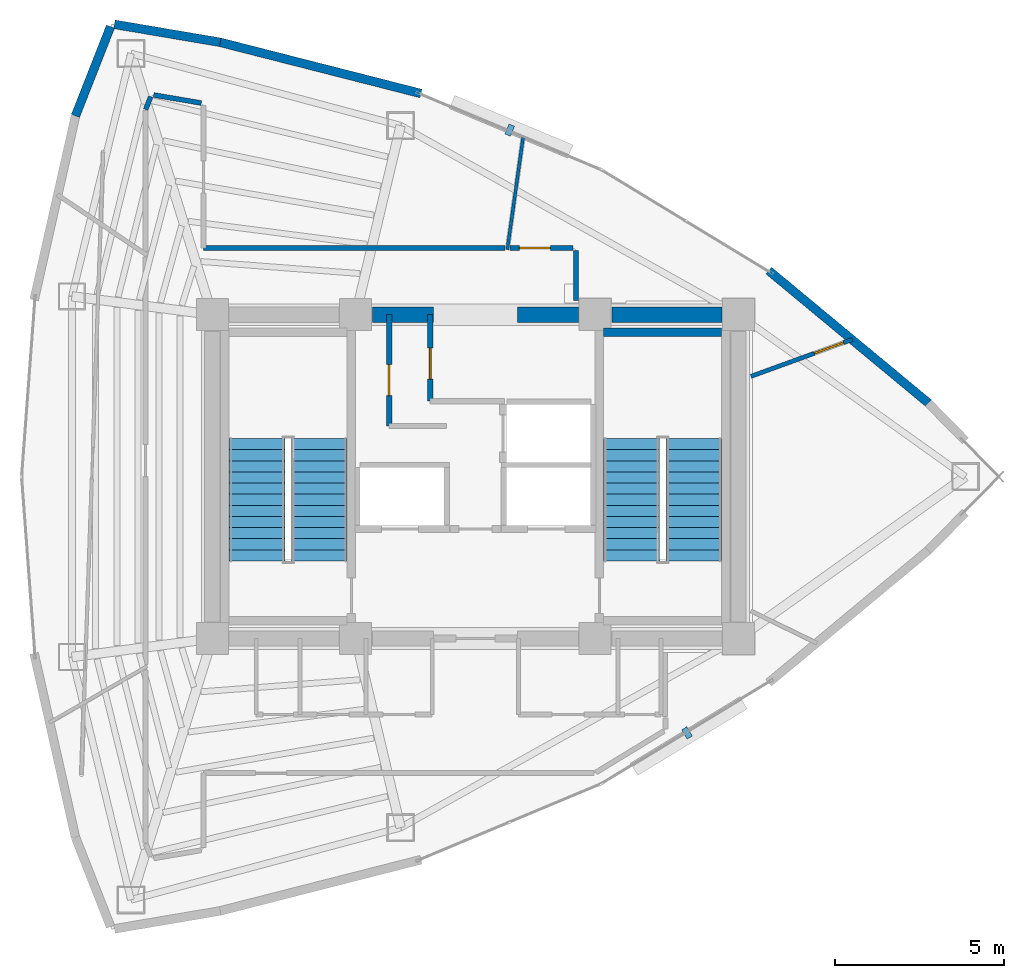
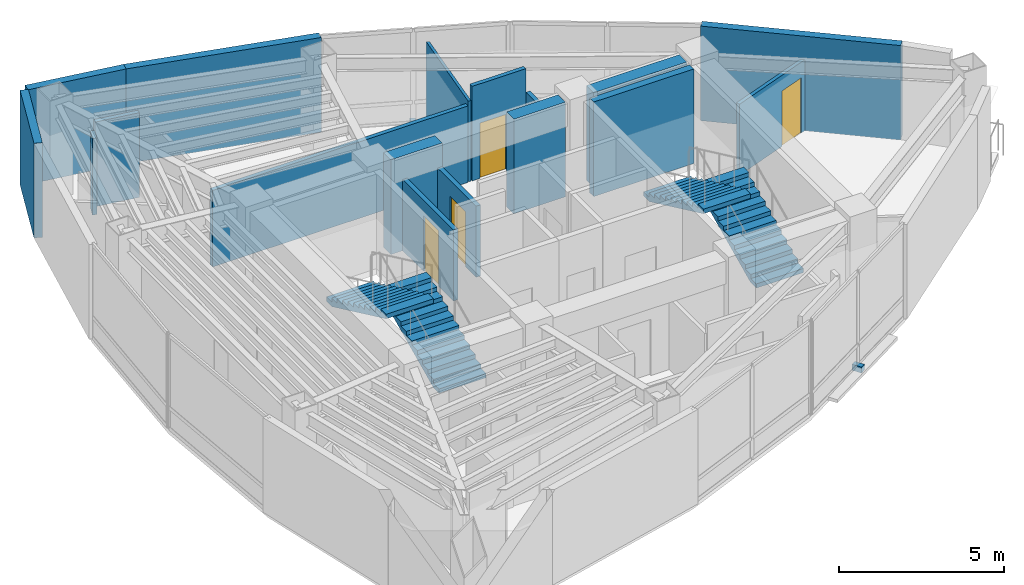
# One storey, part 13 of 16: 17 walls, 4 doors, 4 stair flights, 2 discrete accessories, 4 openings, 2 elements without a shape of their own.
"""IFC4 building model written with IfcOpenShell, lengths in metres."""

from ifc_helpers import new_model, si_unit, direction, frame, frame_2d, origin, origin_2d, place, context, subcontext, project, spatial, polyline, rectangle, outline, extrude, material, layer, layer_set, type_object, element, fill, aggregate, save


model = new_model("IFC4")

# Units and contexts
model_context = context("Model", 3, precision=1e-05, world=origin(), true_north=direction((0.0, 1.0)))
body_context = subcontext(model_context, "Body", "Model", "MODEL_VIEW")
ifc_project = project(units=[si_unit("LENGTHUNIT", "METRE"), si_unit("AREAUNIT", "SQUARE_METRE"), si_unit("VOLUMEUNIT", "CUBIC_METRE"), si_unit("PLANEANGLEUNIT", "RADIAN"), si_unit("MASSUNIT", "GRAM", prefix="KILO")], contexts=[model_context])

# Site, building, storey
site_placement = place(None, origin())
site = spatial("IfcSite", under=ifc_project, at=site_placement, CompositionType="ELEMENT")
building_placement = place(site_placement, origin())
building = spatial("IfcBuilding", under=site, at=building_placement, Name="Menara Vayukalpa", CompositionType="ELEMENT")
storey_placement = place(building_placement, frame((0.0, 0.0, 276.89990234375)))
storey = spatial("IfcBuildingStorey", under=building, at=storey_placement, Name="L70", CompositionType="ELEMENT", Elevation=276.89990234375)

# Walls
ifc_material_1 = material(Name="Concrete C50/60", Category="concrete")
ifc_layer_1 = layer(ifc_material_1, 0.449951171875)
ifc_layer_set_1 = layer_set([ifc_layer_1], Name="Concrete C50/60")
wall_type_1 = type_object("IfcWallType", Name="WAL-CW450", PredefinedType="SHEAR", material=ifc_layer_set_1)
wall_1_placement = place(storey_placement, frame((22.544921875, 26.800048828125, 0.0), z_axis=(0.0, 0.0, 1.0), x_axis=(1.0, 0.0, 0.0)))
element("IfcWall", 1, at=wall_1_placement, inside=storey, type_object=wall_type_1, Name="L70 Buttressed Core Shear Wall CWN2", PredefinedType="SHEAR", context=body_context, shape_type="SweptSolid", body=[
    extrude(rectangle(XDim=1.80517578125, YDim=0.449951171875, at=frame_2d((0.902587890625, 0.0))), origin(), (0.0, 0.0, 1.0), 3.5),
])
wall_2_placement = place(storey_placement, frame((26.85009765625, 26.800048828125, 0.0), z_axis=(0.0, 0.0, 1.0), x_axis=(1.0, 0.0, 0.0)))
element("IfcWall", 2, at=wall_2_placement, inside=storey, type_object=wall_type_1, Name="L70 Buttressed Core Shear Wall CWN3", PredefinedType="SHEAR", context=body_context, shape_type="SweptSolid", body=[
    extrude(rectangle(XDim=1.804931640625, YDim=0.449951171875, at=frame_2d((0.90234375, 0.0))), origin(), (0.0, 0.0, 1.0), 3.5),
])
wall_3_placement = place(storey_placement, frame((29.64501953125, 26.800048828125, 0.0), z_axis=(0.0, 0.0, 1.0), x_axis=(1.0, 0.0, 0.0)))
element("IfcWall", 3, at=wall_3_placement, inside=storey, type_object=wall_type_1, Name="L70 Buttressed Core Shear Wall CWN4", PredefinedType="SHEAR", context=body_context, shape_type="SweptSolid", body=[
    extrude(rectangle(XDim=3.260009765625, YDim=0.449951171875, at=frame_2d((1.6298828125, 0.0))), origin(), (0.0, 0.0, 1.0), 3.5),
])
ifc_material_2 = material(Name="Insulated Precast Concrete C40/50", Category="concrete")
ifc_layer_2 = layer(ifc_material_2, 0.260009765625)
ifc_layer_set_2 = layer_set([ifc_layer_2], Name="Insulated Precast Concrete C40/50")
wall_type_2 = type_object("IfcWallType", Name="WAL-EXT260", PredefinedType="PARTITIONING", material=ifc_layer_set_2)
wall_4_placement = place(storey_placement, frame((34.295166015625, 28.1083984375, 0.0), z_axis=(0.0, 0.0, 1.0), x_axis=(0.769779830138, -0.638309496337, 0.0)))
element("IfcWall", 4, at=wall_4_placement, inside=storey, type_object=wall_type_2, Name="L70 Perimeter Terracotta Pier Wall 03", PredefinedType="PARTITIONING", context=body_context, shape_type="SweptSolid", body=[
    extrude(rectangle(XDim=6.154052734375, YDim=0.260009765625, at=frame_2d((3.0771484375, 0.0))), origin(), (0.0, 0.0, 1.0), 3.5),
])
wall_5_placement = place(storey_placement, frame((18.0244140625, 34.878662109375, 0.0), z_axis=(0.0, 0.0, 1.0), x_axis=(0.968988278672, -0.247106689096, 0.0)))
element("IfcWall", 5, at=wall_5_placement, inside=storey, type_object=wall_type_2, Name="L70 Perimeter Terracotta Pier Wall 06", PredefinedType="PARTITIONING", context=body_context, shape_type="SweptSolid", body=[
    extrude(rectangle(XDim=6.154296875, YDim=0.260009765625, at=frame_2d((3.0771484375, 0.0))), origin(), (0.0, 0.0, 1.0), 3.5),
])
wall_6_placement = place(storey_placement, frame((14.900146484375, 35.40869140625, 0.0), z_axis=(0.0, 0.0, 1.0), x_axis=(0.985889432766, -0.167397808709, 0.0)))
element("IfcWall", 6, at=wall_6_placement, inside=storey, type_object=wall_type_2, Name="L70 Perimeter Terracotta Pier Wall 07", PredefinedType="PARTITIONING", context=body_context, shape_type="SweptSolid", body=[
    extrude(rectangle(XDim=3.180908203125, YDim=0.260009765625, at=frame_2d((1.59033203125, 0.0))), origin(), (0.0, 0.0, 1.0), 3.5),
])
wall_7_placement = place(storey_placement, frame((13.741943359375, 32.693359375, 0.0), z_axis=(0.0, 0.0, 1.0), x_axis=(0.36559927932, 0.930772349697, 0.0)))
element("IfcWall", 7, at=wall_7_placement, inside=storey, type_object=wall_type_2, Name="L70 Perimeter Terracotta Pier Wall 08", PredefinedType="PARTITIONING", context=body_context, shape_type="SweptSolid", body=[
    extrude(rectangle(XDim=2.845458984375, YDim=0.260009765625, at=frame_2d((1.4228515625, 0.0))), origin(), (0.0, 0.0, 1.0), 3.5),
])

# Wall, opening, door
ifc_material_3 = material(Name="Lightweight Concrete Blockwork C16/20", Category="masonry")
ifc_layer_3 = layer(ifc_material_3, 0.159912109375)
ifc_layer_set_3 = layer_set([ifc_layer_3], Name="Lightweight Concrete Blockwork C16/20")
wall_type_3 = type_object("IfcWallType", Name="WAL-FR150", PredefinedType="PARTITIONING", material=ifc_layer_set_3)
wall_8_placement = place(storey_placement, frame((23.0400390625, 23.5, 0.0), z_axis=(0.0, 0.0, 1.0), x_axis=(0.0, 1.0, 0.0)))
wall_8 = element("IfcWall", 8, at=wall_8_placement, inside=storey, type_object=wall_type_3, Name="L70 Interior Partition IW-L70-LV7WB", PredefinedType="PARTITIONING", context=body_context, shape_type="SweptSolid", body=[
    extrude(rectangle(XDim=3.300048828125, YDim=0.159912109375, at=frame_2d((1.64990234375, 0.0))), origin(), (0.0, 0.0, 1.0), 2.630126953125),
])
opening_1_placement = place(wall_8_placement, frame((0.89990234375, 0.0, 0.0)))
opening_1 = element("IfcOpeningElement", 9, at=opening_1_placement, cuts=wall_8, Name="Opening ID6", PredefinedType="OPENING", context=body_context, shape_type="SweptSolid", body=[
    extrude(rectangle(XDim=0.919921875, YDim=2.050048828125, at=frame_2d((0.4599609375, 1.02490234375))), frame((0.0, 0.08984375, 0.0), z_axis=(0.0, -1.0, 0.0), x_axis=(1.0, 0.0, 0.0)), (0.0, 0.0, 1.0), 0.179931640625),
])
ifc_material_4 = material(Name="Acoustic Hardwood Veneer Timber Door", Category="wood")
door_type = type_object("IfcDoorType", Name="DR-INT92", OperationType="NOTDEFINED", PredefinedType="DOOR", material=ifc_material_4)
door_1_placement = place(opening_1_placement, origin())
door_1 = element("IfcDoor", 10, at=door_1_placement, inside=storey, type_object=door_type, Name="L70 Interior Door DR-L70-LV7W", OperationType="SINGLE_SWING_LEFT", OverallHeight=2.050048828125, OverallWidth=0.919921875, PredefinedType="DOOR", context=body_context, shape_type="SweptSolid", body=[
    extrude(rectangle(XDim=0.919921875, YDim=2.050048828125, at=frame_2d((0.4599609375, 1.02490234375))), frame((0.0, 0.02490234375, 0.0), z_axis=(0.0, -1.0, 0.0), x_axis=(1.0, 0.0, 0.0)), (0.0, 0.0, 1.0), 0.050048828125),
])
fill(opening_1, door_1)

wall_9_placement = place(storey_placement, frame((24.260009765625, 24.239990234375, 0.0), z_axis=(0.0, 0.0, 1.0), x_axis=(0.0, 1.0, 0.0)))
wall_9 = element("IfcWall", 11, at=wall_9_placement, inside=storey, type_object=wall_type_3, Name="L70 Interior Partition IW-L70-LV7EB", PredefinedType="PARTITIONING", context=body_context, shape_type="SweptSolid", body=[
    extrude(rectangle(XDim=2.56005859375, YDim=0.159912109375, at=frame_2d((1.280029296875, 0.0))), origin(), (0.0, 0.0, 1.0), 2.630126953125),
])
opening_2_placement = place(wall_9_placement, frame((0.64990234375, 0.0, 0.0)))
opening_2 = element("IfcOpeningElement", 12, at=opening_2_placement, cuts=wall_9, Name="Opening ID6", PredefinedType="OPENING", context=body_context, shape_type="SweptSolid", body=[
    extrude(rectangle(XDim=0.919921875, YDim=2.050048828125, at=frame_2d((0.4599609375, 1.02490234375))), frame((0.0, 0.08984375, 0.0), z_axis=(0.0, -1.0, 0.0), x_axis=(1.0, 0.0, 0.0)), (0.0, 0.0, 1.0), 0.179931640625),
])
door_2_placement = place(opening_2_placement, origin())
door_2 = element("IfcDoor", 13, at=door_2_placement, inside=storey, type_object=door_type, Name="L70 Interior Door DR-L70-LV7E", OperationType="SINGLE_SWING_RIGHT", OverallHeight=2.050048828125, OverallWidth=0.919921875, PredefinedType="DOOR", context=body_context, shape_type="SweptSolid", body=[
    extrude(rectangle(XDim=0.919921875, YDim=2.050048828125, at=frame_2d((0.4599609375, 1.02490234375))), frame((0.0, 0.02490234375, 0.0), z_axis=(0.0, -1.0, 0.0), x_axis=(1.0, 0.0, 0.0)), (0.0, 0.0, 1.0), 0.050048828125),
])
fill(opening_2, door_2)

# Wall
ifc_material_5 = material(Name="Glazed Demountable Office Partition", Category="glass")
ifc_layer_4 = layer(ifc_material_5, 0.094970703125)
ifc_layer_set_4 = layer_set([ifc_layer_4], Name="Glazed Demountable Office Partition")
wall_type_4 = type_object("IfcWallType", Name="WAL-PT100", PredefinedType="PARTITIONING", material=ifc_layer_set_4)
wall_10_placement = place(storey_placement, frame((26.5458984375, 28.72998046875, 0.0), z_axis=(0.0, 0.0, 1.0), x_axis=(0.139120086599, 0.990275517977, 0.0)))
element("IfcWall", 14, at=wall_10_placement, inside=storey, type_object=wall_type_4, Name="L70 Interior Partition IW-L70-RDIV02", PredefinedType="PARTITIONING", context=body_context, shape_type="SweptSolid", body=[
    extrude(rectangle(XDim=3.386962890625, YDim=0.094970703125, at=frame_2d((1.693359375, 0.0))), origin(), (0.0, 0.0, 1.0), 2.97998046875),
])

# Wall, opening, door
ifc_material_6 = material(Name="Gypsum Drywall Steel Stud Assembly", Category="steel")
ifc_layer_5 = layer(ifc_material_6, 0.125)
ifc_layer_set_5 = layer_set([ifc_layer_5], Name="Gypsum Drywall Steel Stud Assembly")
wall_type_5 = type_object("IfcWallType", Name="WAL-PT125", PredefinedType="PARTITIONING", material=ifc_layer_set_5)
wall_11_placement = place(storey_placement, frame((33.77001953125, 24.9736328125, 0.0), z_axis=(0.0, 0.0, 1.0), x_axis=(0.939697478327, 0.342006797047, 0.0)))
wall_11 = element("IfcWall", 15, at=wall_11_placement, inside=storey, type_object=wall_type_5, Name="L70 Interior Partition IW-L70-RDIV01", PredefinedType="PARTITIONING", context=body_context, shape_type="SweptSolid", body=[
    extrude(rectangle(XDim=3.19580078125, YDim=0.125, at=frame_2d((1.597900390625, 0.0))), origin(), (0.0, 0.0, 1.0), 2.630126953125),
])
opening_3_placement = place(wall_11_placement, frame((1.995849609375, 0.0, 0.0)))
opening_3 = element("IfcOpeningElement", 16, at=opening_3_placement, cuts=wall_11, Name="Opening ID6", PredefinedType="OPENING", context=body_context, shape_type="SweptSolid", body=[
    extrude(rectangle(XDim=0.919921875, YDim=2.050048828125, at=frame_2d((0.4599609375, 1.02490234375))), frame((0.0, 0.072509765625, 0.0), z_axis=(0.0, -1.0, 0.0), x_axis=(1.0, 0.0, 0.0)), (0.0, 0.0, 1.0), 0.14501953125),
])
door_3_placement = place(opening_3_placement, origin())
door_3 = element("IfcDoor", 17, at=door_3_placement, inside=storey, type_object=door_type, Name="L70 Interior Door DR-L70-STE03", OperationType="SINGLE_SWING_RIGHT", OverallHeight=2.050048828125, OverallWidth=0.919921875, PredefinedType="DOOR", context=body_context, shape_type="SweptSolid", body=[
    extrude(rectangle(XDim=0.919921875, YDim=2.050048828125, at=frame_2d((0.4599609375, 1.02490234375))), frame((0.0, 0.02490234375, 0.0), z_axis=(0.0, -1.0, 0.0), x_axis=(1.0, 0.0, 0.0)), (0.0, 0.0, 1.0), 0.050048828125),
])
fill(opening_3, door_3)

# Wall
ifc_material_7 = material(Name="Gypsum Drywall Acoustic Stud Assembly", Category="masonry")
ifc_layer_6 = layer(ifc_material_7, 0.14501953125)
ifc_layer_set_6 = layer_set([ifc_layer_6], Name="Gypsum Drywall Acoustic Stud Assembly")
wall_type_6 = type_object("IfcWallType", Name="WAL-PT150", PredefinedType="PARTITIONING", material=ifc_layer_set_6)
wall_12_placement = place(storey_placement, frame((28.580078125, 27.219970703125, 0.0), z_axis=(0.0, 0.0, 1.0), x_axis=(0.0, 1.0, 0.0)))
element("IfcWall", 18, at=wall_12_placement, inside=storey, type_object=wall_type_6, Name="L70 Interior Partition IW-L70-CRM04-1", PredefinedType="PARTITIONING", context=body_context, shape_type="SweptSolid", body=[
    extrude(rectangle(XDim=1.47998046875, YDim=0.14501953125, at=frame_2d((0.739990234375, 0.0))), origin(), (0.0, 0.0, 1.0), 2.630126953125),
])

# Wall, opening, door
wall_13_placement = place(storey_placement, frame((28.5, 28.780029296875, 0.0), z_axis=(0.0, 0.0, 1.0), x_axis=(-1.0, 0.0, 0.0)))
wall_13 = element("IfcWall", 19, at=wall_13_placement, inside=storey, type_object=wall_type_6, Name="L70 Interior Partition IW-L70-CRM04-2", PredefinedType="PARTITIONING", context=body_context, shape_type="SweptSolid", body=[
    extrude(rectangle(XDim=1.87646484375, YDim=0.14501953125, at=frame_2d((0.938232421875, 0.0))), origin(), (0.0, 0.0, 1.0), 3.5),
])
opening_4_placement = place(wall_13_placement, frame((0.676513671875, 0.0, 0.0)))
opening_4 = element("IfcOpeningElement", 20, at=opening_4_placement, cuts=wall_13, Name="Opening ID6", PredefinedType="OPENING", context=body_context, shape_type="SweptSolid", body=[
    extrude(rectangle(XDim=0.919921875, YDim=2.050048828125, at=frame_2d((0.4599609375, 1.02490234375))), frame((0.0, 0.08251953125, 0.0), z_axis=(0.0, -1.0, 0.0), x_axis=(1.0, 0.0, 0.0)), (0.0, 0.0, 1.0), 0.1650390625),
])
door_4_placement = place(opening_4_placement, origin())
door_4 = element("IfcDoor", 21, at=door_4_placement, inside=storey, type_object=door_type, Name="L70 Interior Door DR-L70-RM04", OperationType="SINGLE_SWING_LEFT", OverallHeight=2.050048828125, OverallWidth=0.919921875, PredefinedType="DOOR", context=body_context, shape_type="SweptSolid", body=[
    extrude(rectangle(XDim=0.919921875, YDim=2.050048828125, at=frame_2d((0.4599609375, 1.02490234375))), frame((0.0, 0.02490234375, 0.0), z_axis=(0.0, -1.0, 0.0), x_axis=(1.0, 0.0, 0.0)), (0.0, 0.0, 1.0), 0.050048828125),
])
fill(opening_4, door_4)

# Walls
wall_14_placement = place(storey_placement, frame((26.482177734375, 28.780029296875, 0.0), z_axis=(0.0, 0.0, 1.0), x_axis=(-1.0, 0.0, 0.0)))
element("IfcWall", 22, at=wall_14_placement, inside=storey, type_object=wall_type_6, Name="L70 Interior Partition IW-L70-CRM05-1", PredefinedType="PARTITIONING", context=body_context, shape_type="SweptSolid", body=[
    extrude(rectangle(XDim=8.942138671875, YDim=0.14501953125, at=frame_2d((4.47119140625, 0.0))), origin(), (0.0, 0.0, 1.0), 2.830078125),
])
wall_15_placement = place(storey_placement, frame((17.473388671875, 33.074951171875, 0.0), z_axis=(0.0, 0.0, 1.0), x_axis=(-0.985881780308, 0.167442871621, 0.0)))
element("IfcWall", 23, at=wall_15_placement, inside=storey, type_object=wall_type_6, Name="L70 Interior Partition IW-L70-CRM05-3", PredefinedType="PARTITIONING", context=body_context, shape_type="SweptSolid", body=[
    extrude(rectangle(XDim=1.430419921875, YDim=0.14501953125, at=frame_2d((0.71533203125, 0.0))), origin(), (0.0, 0.0, 1.0), 3.130126953125),
])
wall_16_placement = place(storey_placement, frame((15.975341796875, 33.2646484375, 0.0), z_axis=(0.0, 0.0, 1.0), x_axis=(-0.365633948196, -0.930758731319, 0.0)))
element("IfcWall", 24, at=wall_16_placement, inside=storey, type_object=wall_type_6, Name="L70 Interior Partition IW-L70-CRM05-4", PredefinedType="PARTITIONING", context=body_context, shape_type="SweptSolid", body=[
    extrude(rectangle(XDim=0.409912109375, YDim=0.14501953125, at=frame_2d((0.205078125, 0.0))), origin(), (0.0, 0.0, 1.0), 2.830078125),
])
ifc_material_8 = material(Name="Concrete C50/60", Category="concrete")
ifc_layer_7 = layer(ifc_material_8, 0.25)
ifc_layer_set_7 = layer_set([ifc_layer_7], Name="Concrete C50/60")
wall_type_7 = type_object("IfcWallType", Name="WAL-SW250", PredefinedType="SHEAR", material=ifc_layer_set_7)
wall_17_placement = place(storey_placement, frame((29.39990234375, 26.27490234375, 0.0), z_axis=(0.0, 0.0, 1.0), x_axis=(1.0, 0.0, 0.0)))
element("IfcWall", 25, at=wall_17_placement, inside=storey, type_object=wall_type_7, Name="L70 ST2 Structural Stair Shaft Wall N", PredefinedType="SHEAR", context=body_context, shape_type="SweptSolid", body=[
    extrude(rectangle(XDim=3.5, YDim=0.25, at=frame_2d((1.75, 0.0))), origin(), (0.0, 0.0, 1.0), 3.5),
])

# Stair, stair flights
ifc_material_9 = material(Name="Precast Concrete C40/50", Category="concrete")
stair_type = type_object("IfcStairType", Name="STR-T04", PredefinedType="DOUBLE_RETURN_STAIR", material=ifc_material_9)
stair_1_placement = place(storey_placement, origin())
stair_1 = element("IfcStair", 26, at=stair_1_placement, inside=storey, type_object=stair_type, Name="L70 Core Exit Stair ST-1", PredefinedType="DOUBLE_RETURN_STAIR")
ifc_material_10 = material(Name="Precast Concrete C40/50", Category="concrete")
stair_flight_type = type_object("IfcStairFlightType", Name="STF-T04", PredefinedType="STRAIGHT", material=ifc_material_10)
stair_flight_1_placement = place(storey_placement, frame((20.97509765625, 19.5, 0.0), z_axis=(0.0, 0.0, 1.0), x_axis=(0.0, 1.0, 0.0)))
stair_flight_1 = element("IfcStairFlight", 27, at=stair_flight_1_placement, type_object=stair_flight_type, Name="ST-1 flight 1", NumberOfRisers=12, NumberOfTreads=11, PredefinedType="STRAIGHT", RiserHeight=0.155, TreadLength=0.33, context=body_context, shape_type="SweptSolid", body=[
    extrude(outline(polyline([(0.0, 0.0), (0.0, 0.155029296875), (0.330078125, 0.155029296875), (0.330078125, 0.31005859375), (0.659912109375, 0.31005859375), (0.659912109375, 0.465087890625), (0.989990234375, 0.465087890625), (0.989990234375, 0.6201171875), (1.320068359375, 0.6201171875), (1.320068359375, 0.77490234375), (1.64990234375, 0.77490234375), (1.64990234375, 0.929931640625), (1.97998046875, 0.929931640625), (1.97998046875, 1.0849609375), (2.31005859375, 1.0849609375), (2.31005859375, 1.239990234375), (2.639892578125, 1.239990234375), (2.639892578125, 1.39501953125), (2.969970703125, 1.39501953125), (2.969970703125, 1.550048828125), (3.300048828125, 1.550048828125), (3.300048828125, 1.705078125), (3.6298828125, 1.705078125), (3.6298828125, 1.860107421875), (3.6298828125, 1.539306640625), (0.3525390625, 0.0), (0.0, 0.0)])), frame((0.0, 0.824951171875, 0.0), z_axis=(0.0, -1.0, 0.0), x_axis=(1.0, 0.0, 0.0)), (0.0, 0.0, 1.0), 1.64990234375),
])
stair_flight_2_placement = place(storey_placement, frame((19.125, 23.1298828125, 1.860107421875), z_axis=(0.0, 0.0, 1.0), x_axis=(0.0, -1.0, 0.0)))
stair_flight_2 = element("IfcStairFlight", 28, at=stair_flight_2_placement, type_object=stair_flight_type, Name="ST-1 flight 2", NumberOfRisers=12, NumberOfTreads=11, PredefinedType="STRAIGHT", RiserHeight=0.155, TreadLength=0.33, context=body_context, shape_type="SweptSolid", body=[
    extrude(outline(polyline([(0.0, 0.0), (0.0, 0.155029296875), (0.330078125, 0.155029296875), (0.330078125, 0.31005859375), (0.659912109375, 0.31005859375), (0.659912109375, 0.465087890625), (0.989990234375, 0.465087890625), (0.989990234375, 0.6201171875), (1.320068359375, 0.6201171875), (1.320068359375, 0.77490234375), (1.64990234375, 0.77490234375), (1.64990234375, 0.929931640625), (1.97998046875, 0.929931640625), (1.97998046875, 1.0849609375), (2.31005859375, 1.0849609375), (2.31005859375, 1.239990234375), (2.639892578125, 1.239990234375), (2.639892578125, 1.39501953125), (2.969970703125, 1.39501953125), (2.969970703125, 1.550048828125), (3.300048828125, 1.550048828125), (3.300048828125, 1.705078125), (3.6298828125, 1.705078125), (3.6298828125, 1.860107421875), (3.6298828125, 1.539306640625), (0.3525390625, 0.0), (0.0, 0.0)])), frame((0.0, 0.824951171875, 0.0), z_axis=(0.0, -1.0, 0.0), x_axis=(1.0, 0.0, 0.0)), (0.0, 0.0, 1.0), 1.64990234375),
])
aggregate(stair_1, [stair_flight_1, stair_flight_2])

stair_2_placement = place(storey_placement, origin())
stair_2 = element("IfcStair", 29, at=stair_2_placement, inside=storey, type_object=stair_type, Name="L70 Core Exit Stair ST-2", PredefinedType="DOUBLE_RETURN_STAIR")
stair_flight_3_placement = place(storey_placement, frame((32.074951171875, 19.5, 0.0), z_axis=(0.0, 0.0, 1.0), x_axis=(0.0, 1.0, 0.0)))
stair_flight_3 = element("IfcStairFlight", 30, at=stair_flight_3_placement, type_object=stair_flight_type, Name="ST-2 flight 1", NumberOfRisers=12, NumberOfTreads=11, PredefinedType="STRAIGHT", RiserHeight=0.155, TreadLength=0.33, context=body_context, shape_type="SweptSolid", body=[
    extrude(outline(polyline([(0.0, 0.0), (0.0, 0.155029296875), (0.330078125, 0.155029296875), (0.330078125, 0.31005859375), (0.659912109375, 0.31005859375), (0.659912109375, 0.465087890625), (0.989990234375, 0.465087890625), (0.989990234375, 0.6201171875), (1.320068359375, 0.6201171875), (1.320068359375, 0.77490234375), (1.64990234375, 0.77490234375), (1.64990234375, 0.929931640625), (1.97998046875, 0.929931640625), (1.97998046875, 1.0849609375), (2.31005859375, 1.0849609375), (2.31005859375, 1.239990234375), (2.639892578125, 1.239990234375), (2.639892578125, 1.39501953125), (2.969970703125, 1.39501953125), (2.969970703125, 1.550048828125), (3.300048828125, 1.550048828125), (3.300048828125, 1.705078125), (3.6298828125, 1.705078125), (3.6298828125, 1.860107421875), (3.6298828125, 1.539306640625), (0.3525390625, 0.0), (0.0, 0.0)])), frame((0.0, 0.824951171875, 0.0), z_axis=(0.0, -1.0, 0.0), x_axis=(1.0, 0.0, 0.0)), (0.0, 0.0, 1.0), 1.64990234375),
])
stair_flight_4_placement = place(storey_placement, frame((30.22509765625, 23.1298828125, 1.860107421875), z_axis=(0.0, 0.0, 1.0), x_axis=(0.0, -1.0, 0.0)))
stair_flight_4 = element("IfcStairFlight", 31, at=stair_flight_4_placement, type_object=stair_flight_type, Name="ST-2 flight 2", NumberOfRisers=12, NumberOfTreads=11, PredefinedType="STRAIGHT", RiserHeight=0.155, TreadLength=0.33, context=body_context, shape_type="SweptSolid", body=[
    extrude(outline(polyline([(0.0, 0.0), (0.0, 0.155029296875), (0.330078125, 0.155029296875), (0.330078125, 0.31005859375), (0.659912109375, 0.31005859375), (0.659912109375, 0.465087890625), (0.989990234375, 0.465087890625), (0.989990234375, 0.6201171875), (1.320068359375, 0.6201171875), (1.320068359375, 0.77490234375), (1.64990234375, 0.77490234375), (1.64990234375, 0.929931640625), (1.97998046875, 0.929931640625), (1.97998046875, 1.0849609375), (2.31005859375, 1.0849609375), (2.31005859375, 1.239990234375), (2.639892578125, 1.239990234375), (2.639892578125, 1.39501953125), (2.969970703125, 1.39501953125), (2.969970703125, 1.550048828125), (3.300048828125, 1.550048828125), (3.300048828125, 1.705078125), (3.6298828125, 1.705078125), (3.6298828125, 1.860107421875), (3.6298828125, 1.539306640625), (0.3525390625, 0.0), (0.0, 0.0)])), frame((0.0, 0.824951171875, 0.0), z_axis=(0.0, -1.0, 0.0), x_axis=(1.0, 0.0, 0.0)), (0.0, 0.0, 1.0), 1.64990234375),
])
aggregate(stair_2, [stair_flight_3, stair_flight_4])

# Discrete accessories
ifc_material_11 = material(Name="Stainless Steel 316 Sunshade Bracket", Category="steel")
discrete_accessory_type = type_object("IfcDiscreteAccessoryType", Name="ACC-BRK1", PredefinedType="BRACKET", material=ifc_material_11)
for number, where, z_axis, x_axis, name in (
    (32, (26.61767578125, 32.272705078125, -0.15966796875), (0.0, 0.0, 1.0), (-0.922538089456, 0.385906042324, 0.0), "L70 Terracotta Sunshade Bracket 05"),
    (33, (31.87109375, 14.402587890625, -0.15966796875), (0.0, 0.0, 1.0), (0.85466730962, 0.519176068272, 0.0), "L70 Terracotta Sunshade Bracket 17"),
):
    element("IfcDiscreteAccessory", number, at=place(storey_placement, frame(where, z_axis=z_axis, x_axis=x_axis)), inside=storey, type_object=discrete_accessory_type, Name=name, PredefinedType="BRACKET", context=body_context, shape_type="SweptSolid", body=[
        extrude(rectangle(XDim=0.179931640625, YDim=0.320068359375, at=origin_2d()), origin(), (0.0, 0.0, 1.0), 0.219970703125),
    ])

save(model, "model.ifc")
